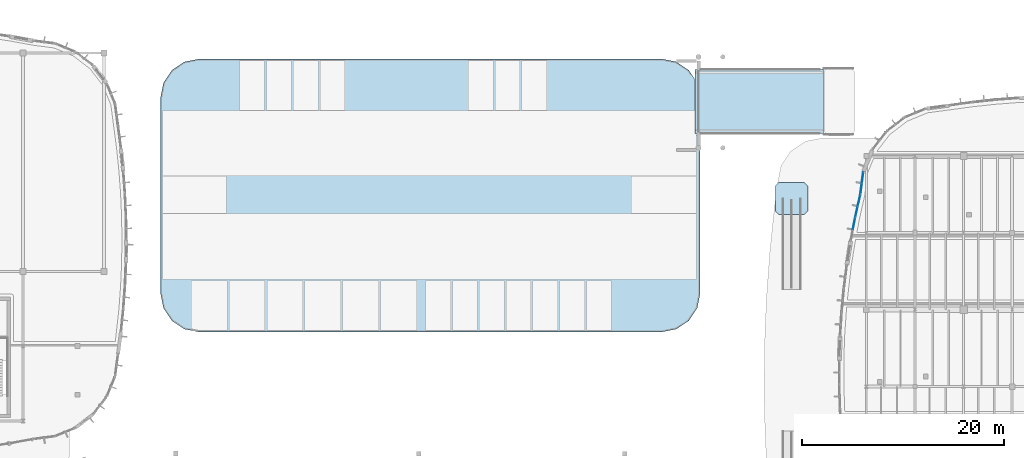
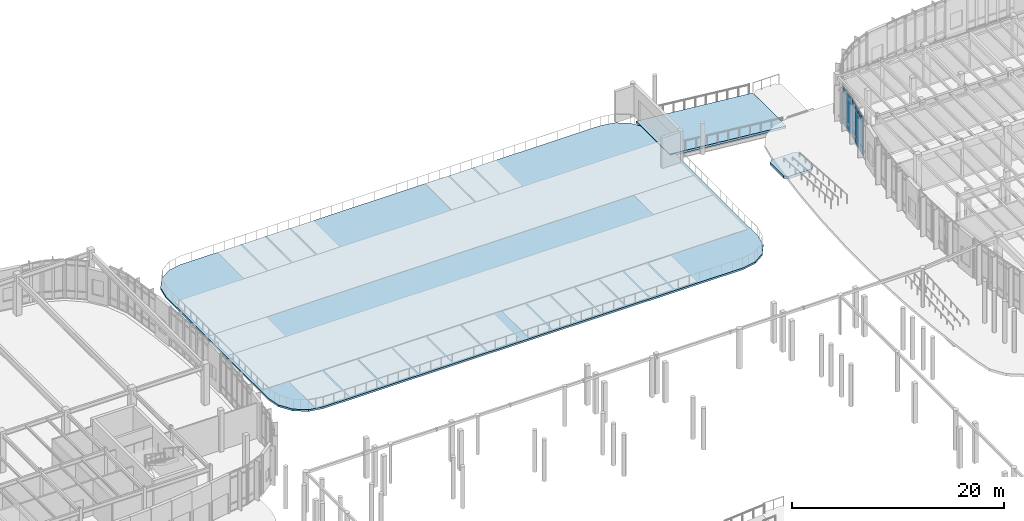
# One storey, part 81 of 120: 15 plates, 3 slabs, 3 elements without a shape of their own.
"""IFC4 building model written with IfcOpenShell, lengths in metres."""

from ifc_helpers import new_model, si_unit, direction, frame, origin, origin_2d, place, context, subcontext, project, spatial, polyline, rectangle, outline, extrude, material, layer, layer_set, type_object, element, aggregate, save


model = new_model("IFC4")

# Units and contexts
model_context = context("Model", 3, precision=1e-05, world=origin(), true_north=direction((0.0, 1.0)))
body_context = subcontext(model_context, "Body", "Model", "MODEL_VIEW")
ifc_project = project(units=[si_unit("LENGTHUNIT", "METRE"), si_unit("AREAUNIT", "SQUARE_METRE"), si_unit("VOLUMEUNIT", "CUBIC_METRE"), si_unit("PLANEANGLEUNIT", "RADIAN"), si_unit("MASSUNIT", "GRAM", prefix="KILO")], contexts=[model_context])

# Site, building, storey
site_placement = place(None, origin())
site = spatial("IfcSite", under=ifc_project, at=site_placement, CompositionType="ELEMENT")
building_placement = place(site_placement, origin())
building = spatial("IfcBuilding", under=site, at=building_placement, Name="Corveleigh Park Community Centre", CompositionType="ELEMENT")
storey_placement = place(building_placement, origin())
storey = spatial("IfcBuildingStorey", under=building, at=storey_placement, Name="L00", CompositionType="ELEMENT", Elevation=0.0)

# Curtain wall, plates
ifc_material_1 = material(Name="Anodised aluminium 6063-T6", Category="aluminium")
curtain_wall_type = type_object("IfcCurtainWallType", Name="CW-SYS-V4-L00", PredefinedType="NOTDEFINED", material=ifc_material_1)
curtain_wall_1_placement = place(storey_placement, origin())
curtain_wall_1 = element("IfcCurtainWall", 1, at=curtain_wall_1_placement, inside=storey, type_object=curtain_wall_type, Name="V4 L00 Curtain Wall 145", PredefinedType="NOTDEFINED")
ifc_material_2 = material(Name="Low-E double glazing", Category="glass")
ifc_layer_1 = layer(ifc_material_2, 0.02392578125, Name="Low-E double glazing", Category="glass")
ifc_layer_set_1 = layer_set([ifc_layer_1], Name="Low-E double glazing")
plate_type_1 = type_object("IfcPlateType", Name="CWP-GLZ-24", PredefinedType="CURTAIN_PANEL", material=ifc_layer_set_1)
plate_1_placement = place(storey_placement, frame((129.27734375, 100.987548828125, 0.080078125), z_axis=(0.0, 0.0, 1.0), x_axis=(0.13064993165, 0.991428562913, 0.0)))
plate_1 = element("IfcPlate", 2, at=plate_1_placement, type_object=plate_type_1, Name="CW07 panel 1.1", PredefinedType="CURTAIN_PANEL", context=body_context, shape_type="SweptSolid", body=[
    extrude(rectangle(XDim=1.03515625, YDim=0.02392578125, at=origin_2d()), origin(), (0.0, 0.0, 1.0), 0.780029296875),
])
plate_2_placement = place(storey_placement, frame((129.27734375, 100.987548828125, 0.93994140625), z_axis=(0.0, 0.0, 1.0), x_axis=(0.13064993165, 0.991428562913, 0.0)))
plate_2 = element("IfcPlate", 3, at=plate_2_placement, type_object=plate_type_1, Name="CW07 panel 1.2", PredefinedType="CURTAIN_PANEL", context=body_context, shape_type="SweptSolid", body=[
    extrude(rectangle(XDim=1.03515625, YDim=0.02392578125, at=origin_2d()), origin(), (0.0, 0.0, 1.0), 2.906982421875),
])
plate_3_placement = place(storey_placement, frame((129.27734375, 100.987548828125, 3.9267578125), z_axis=(0.0, 0.0, 1.0), x_axis=(0.13064993165, 0.991428562913, 0.0)))
plate_3 = element("IfcPlate", 4, at=plate_3_placement, type_object=plate_type_1, Name="CW07 panel 1.3", PredefinedType="CURTAIN_PANEL", context=body_context, shape_type="SweptSolid", body=[
    extrude(rectangle(XDim=1.03515625, YDim=0.02392578125, at=origin_2d()), origin(), (0.0, 0.0, 1.0), 0.530029296875),
])
plate_4_placement = place(storey_placement, frame((129.420654296875, 102.073486328125, 0.080078125), z_axis=(0.0, 0.0, 1.0), x_axis=(0.13064993165, 0.991428562913, 0.0)))
plate_4 = element("IfcPlate", 5, at=plate_4_placement, type_object=plate_type_1, Name="CW07 panel 2.1", PredefinedType="CURTAIN_PANEL", context=body_context, shape_type="SweptSolid", body=[
    extrude(rectangle(XDim=1.03515625, YDim=0.02392578125, at=origin_2d()), origin(), (0.0, 0.0, 1.0), 0.780029296875),
])
plate_5_placement = place(storey_placement, frame((129.420654296875, 102.073486328125, 0.93994140625), z_axis=(0.0, 0.0, 1.0), x_axis=(0.13064993165, 0.991428562913, 0.0)))
plate_5 = element("IfcPlate", 6, at=plate_5_placement, type_object=plate_type_1, Name="CW07 panel 2.2", PredefinedType="CURTAIN_PANEL", context=body_context, shape_type="SweptSolid", body=[
    extrude(rectangle(XDim=1.03515625, YDim=0.02392578125, at=origin_2d()), origin(), (0.0, 0.0, 1.0), 2.906982421875),
])
plate_6_placement = place(storey_placement, frame((129.420654296875, 102.073486328125, 3.9267578125), z_axis=(0.0, 0.0, 1.0), x_axis=(0.13064993165, 0.991428562913, 0.0)))
plate_6 = element("IfcPlate", 7, at=plate_6_placement, type_object=plate_type_1, Name="CW07 panel 2.3", PredefinedType="CURTAIN_PANEL", context=body_context, shape_type="SweptSolid", body=[
    extrude(rectangle(XDim=1.03515625, YDim=0.02392578125, at=origin_2d()), origin(), (0.0, 0.0, 1.0), 0.530029296875),
])
aggregate(curtain_wall_1, [plate_1, plate_2, plate_3, plate_4, plate_5, plate_6])

curtain_wall_2_placement = place(storey_placement, origin())
curtain_wall_2 = element("IfcCurtainWall", 8, at=curtain_wall_2_placement, inside=storey, type_object=curtain_wall_type, Name="V4 L00 Curtain Wall 146", PredefinedType="NOTDEFINED")
plate_7_placement = place(storey_placement, frame((128.81591796875, 98.685546875, 0.06005859375), z_axis=(0.0, 0.0, 1.0), x_axis=(0.218872550452, 0.975753455878, 0.0)))
plate_7 = element("IfcPlate", 9, at=plate_7_placement, type_object=plate_type_1, Name="CW07 panel 1.1", PredefinedType="CURTAIN_PANEL", context=body_context, shape_type="SweptSolid", body=[
    extrude(rectangle(XDim=1.074462890625, YDim=0.02392578125, at=origin_2d()), origin(), (0.0, 0.0, 1.0), 0.81005859375),
])
plate_8_placement = place(storey_placement, frame((128.81591796875, 98.685546875, 0.93017578125), z_axis=(0.0, 0.0, 1.0), x_axis=(0.218872550452, 0.975753455878, 0.0)))
plate_8 = element("IfcPlate", 10, at=plate_8_placement, type_object=plate_type_1, Name="CW07 panel 1.2", PredefinedType="CURTAIN_PANEL", context=body_context, shape_type="SweptSolid", body=[
    extrude(rectangle(XDim=1.074462890625, YDim=0.02392578125, at=origin_2d()), origin(), (0.0, 0.0, 1.0), 2.927001953125),
])
plate_9_placement = place(storey_placement, frame((128.81591796875, 98.685546875, 3.9169921875), z_axis=(0.0, 0.0, 1.0), x_axis=(0.218872550452, 0.975753455878, 0.0)))
plate_9 = element("IfcPlate", 11, at=plate_9_placement, type_object=plate_type_1, Name="CW07 panel 1.3", PredefinedType="CURTAIN_PANEL", context=body_context, shape_type="SweptSolid", body=[
    extrude(rectangle(XDim=1.074462890625, YDim=0.02392578125, at=origin_2d()), origin(), (0.0, 0.0, 1.0), 0.56005859375),
])
plate_10_placement = place(storey_placement, frame((129.065185546875, 99.79736328125, 0.06005859375), z_axis=(0.0, 0.0, 1.0), x_axis=(0.218872550452, 0.975753455878, 0.0)))
plate_10 = element("IfcPlate", 12, at=plate_10_placement, type_object=plate_type_1, Name="CW07 panel 2.1", PredefinedType="CURTAIN_PANEL", context=body_context, shape_type="SweptSolid", body=[
    extrude(rectangle(XDim=1.074462890625, YDim=0.02392578125, at=origin_2d()), origin(), (0.0, 0.0, 1.0), 0.81005859375),
])
plate_11_placement = place(storey_placement, frame((129.065185546875, 99.79736328125, 0.93017578125), z_axis=(0.0, 0.0, 1.0), x_axis=(0.218872550452, 0.975753455878, 0.0)))
plate_11 = element("IfcPlate", 13, at=plate_11_placement, type_object=plate_type_1, Name="CW07 panel 2.2", PredefinedType="CURTAIN_PANEL", context=body_context, shape_type="SweptSolid", body=[
    extrude(rectangle(XDim=1.074462890625, YDim=0.02392578125, at=origin_2d()), origin(), (0.0, 0.0, 1.0), 2.927001953125),
])
plate_12_placement = place(storey_placement, frame((129.065185546875, 99.79736328125, 3.9169921875), z_axis=(0.0, 0.0, 1.0), x_axis=(0.218872550452, 0.975753455878, 0.0)))
plate_12 = element("IfcPlate", 14, at=plate_12_placement, type_object=plate_type_1, Name="CW07 panel 2.3", PredefinedType="CURTAIN_PANEL", context=body_context, shape_type="SweptSolid", body=[
    extrude(rectangle(XDim=1.074462890625, YDim=0.02392578125, at=origin_2d()), origin(), (0.0, 0.0, 1.0), 0.56005859375),
])
aggregate(curtain_wall_2, [plate_7, plate_8, plate_9, plate_10, plate_11, plate_12])

curtain_wall_3_placement = place(storey_placement, origin())
curtain_wall_3 = element("IfcCurtainWall", 15, at=curtain_wall_3_placement, inside=storey, type_object=curtain_wall_type, Name="V4 L00 Curtain Wall 147", PredefinedType="NOTDEFINED")
ifc_layer_2 = layer(ifc_material_2, 0.028076171875, Name="Low-E double glazing", Category="glass")
ifc_layer_set_2 = layer_set([ifc_layer_2], Name="Low-E double glazing")
plate_type_2 = type_object("IfcPlateType", Name="CWP-GLZ-28", PredefinedType="CURTAIN_PANEL", material=ifc_layer_set_2)
plate_13_placement = place(storey_placement, frame((128.566650390625, 97.485595703125, 0.06494140625), z_axis=(0.0, 0.0, 1.0), x_axis=(0.187190304951, 0.982323668519, 0.0)))
plate_13 = element("IfcPlate", 16, at=plate_13_placement, type_object=plate_type_2, Name="CW07 panel 2.1", PredefinedType="CURTAIN_PANEL", context=body_context, shape_type="SweptSolid", body=[
    extrude(rectangle(XDim=1.0703125, YDim=0.028076171875, at=origin_2d()), origin(), (0.0, 0.0, 1.0), 0.802490234375),
])
plate_14_placement = place(storey_placement, frame((128.566650390625, 97.485595703125, 0.9326171875), z_axis=(0.0, 0.0, 1.0), x_axis=(0.187190304951, 0.982323668519, 0.0)))
plate_14 = element("IfcPlate", 17, at=plate_14_placement, type_object=plate_type_2, Name="CW07 panel 2.2", PredefinedType="CURTAIN_PANEL", context=body_context, shape_type="SweptSolid", body=[
    extrude(rectangle(XDim=1.0703125, YDim=0.028076171875, at=origin_2d()), origin(), (0.0, 0.0, 1.0), 2.922119140625),
])
plate_15_placement = place(storey_placement, frame((128.566650390625, 97.485595703125, 3.91943359375), z_axis=(0.0, 0.0, 1.0), x_axis=(0.187190304951, 0.982323668519, 0.0)))
plate_15 = element("IfcPlate", 18, at=plate_15_placement, type_object=plate_type_2, Name="CW07 panel 2.3", PredefinedType="CURTAIN_PANEL", context=body_context, shape_type="SweptSolid", body=[
    extrude(rectangle(XDim=1.0703125, YDim=0.028076171875, at=origin_2d()), origin(), (0.0, 0.0, 1.0), 0.552490234375),
])
aggregate(curtain_wall_3, [plate_13, plate_14, plate_15])

# Slabs
ifc_material_3 = material(Name="Concrete C32/40", Category="concrete")
ifc_layer_3 = layer(ifc_material_3, 0.2900390625, Name="Concrete C32/40", Category="concrete")
ifc_layer_set_3 = layer_set([ifc_layer_3], Name="Concrete C32/40")
slab_type_1 = type_object("IfcSlabType", Name="SLB-APR-290", PredefinedType="FLOOR", material=ifc_layer_set_3)
slab_1_placement = place(storey_placement, frame((0.0, 0.0, -0.889892578125)))
element("IfcSlab", 19, at=slab_1_placement, inside=storey, type_object=slab_type_1, Name="Ramp RM5 lower landing", PredefinedType="FLOOR", context=body_context, shape_type="SweptSolid", body=[
    extrude(outline(polyline([(121.14990234375, 98.39990234375), (123.64990234375, 98.39990234375), (124.0, 98.75), (124.0, 101.25), (123.64990234375, 101.60009765625), (121.14990234375, 101.60009765625), (120.800048828125, 101.25), (120.800048828125, 98.75), (121.14990234375, 98.39990234375)])), origin(), (0.0, 0.0, 1.0), 0.289794921875),
])
ifc_layer_4 = layer(ifc_material_3, 0.2099609375, Name="Concrete C32/40", Category="concrete")
ifc_layer_set_4 = layer_set([ifc_layer_4], Name="Concrete C32/40")
slab_type_2 = type_object("IfcSlabType", Name="SLB-PAV-210", PredefinedType="BASESLAB", material=ifc_layer_set_4)
slab_2_placement = place(storey_placement, frame((0.0, 0.0, -0.2099609375)))
element("IfcSlab", 20, at=slab_2_placement, inside=storey, type_object=slab_type_2, Name="Surface Car Park and Entrance Base Slab", PredefinedType="BASESLAB", context=body_context, shape_type="SweptSolid", body=[
    extrude(outline(polyline([(113.35009765625, 106.300048828125), (113.35009765625, 90.60009765625), (113.06103515625, 89.14599609375), (112.237060546875, 87.9130859375), (111.00390625, 87.089111328125), (109.550048828125, 86.800048828125), (63.800048828125, 86.800048828125), (62.345947265625, 87.089111328125), (61.113037109375, 87.9130859375), (60.2890625, 89.14599609375), (60.0, 90.60009765625), (60.0, 110.0), (60.2890625, 111.4541015625), (61.113037109375, 112.68701171875), (62.345947265625, 113.510986328125), (63.800048828125, 113.800048828125), (109.550048828125, 113.800048828125), (111.00390625, 113.510986328125), (112.237060546875, 112.68701171875), (112.820068359375, 111.81494140625), (112.820068359375, 106.300048828125), (113.35009765625, 106.300048828125)])), origin(), (0.0, 0.0, 1.0), 0.2099609375),
])
ifc_material_4 = material(Name="Concrete C40/50", Category="concrete")
ifc_layer_5 = layer(ifc_material_4, 0.25, Name="Concrete C40/50", Category="concrete")
ifc_layer_set_5 = layer_set([ifc_layer_5], Name="Concrete C40/50")
slab_type_3 = type_object("IfcSlabType", Name="SLB-VRMP-250", PredefinedType="FLOOR", material=ifc_layer_set_5)
slab_3_placement = place(storey_placement, frame((125.550048828125, 112.75, -1.199951171875), z_axis=(0.094065761001, 0.0, 0.995565986064), x_axis=(-0.995565986064, 0.0, 0.094065761001)))
element("IfcSlab", 21, at=slab_3_placement, inside=storey, type_object=slab_type_3, Name="Car Park Vehicle Access Ramp Structural Slab VS01", PredefinedType="FLOOR", context=body_context, shape_type="SweptSolid", body=[
    extrude(outline(polyline([(0.0, 0.0), (12.756513731537053, 0.0), (12.756513731537053, 6.300048828125), (0.0, 6.300048828125), (0.0, 0.0)])), origin(), (0.0, 0.0, -1.0), 0.25),
])

save(model, "model.ifc")
